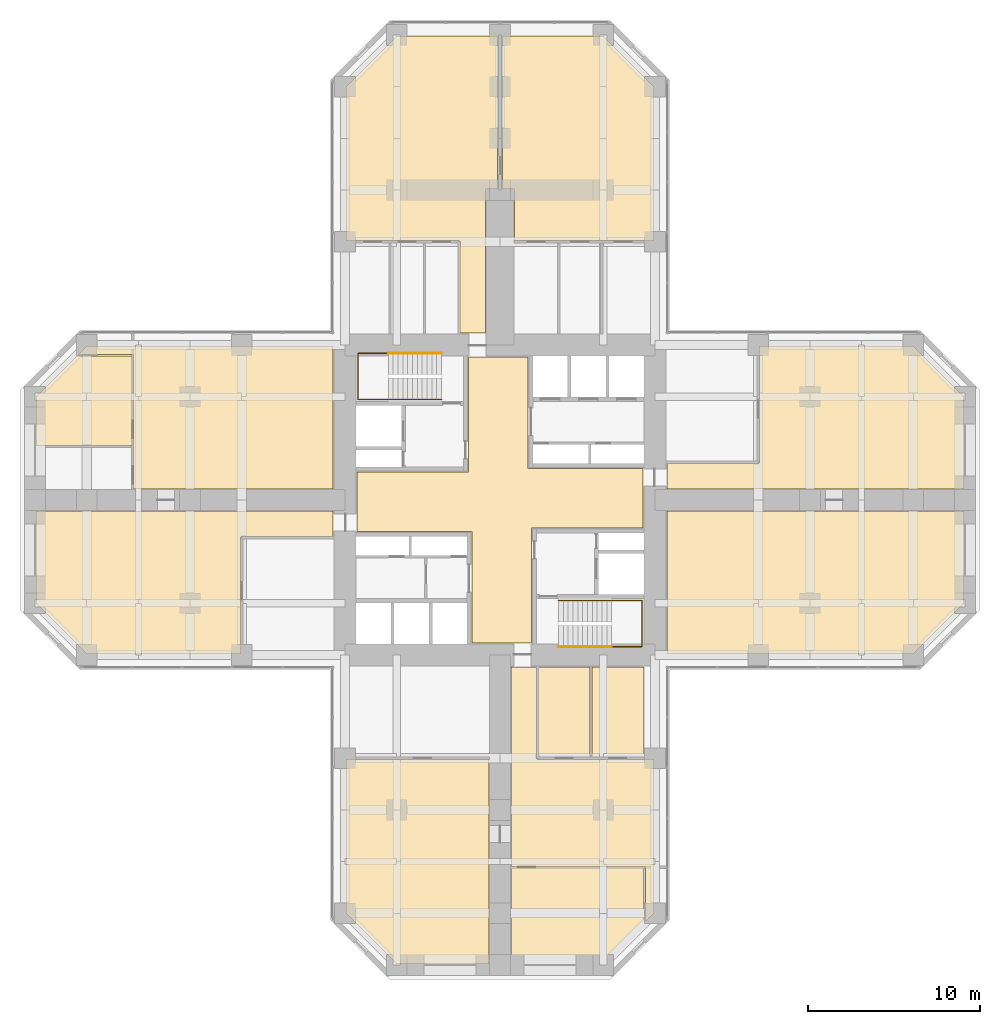
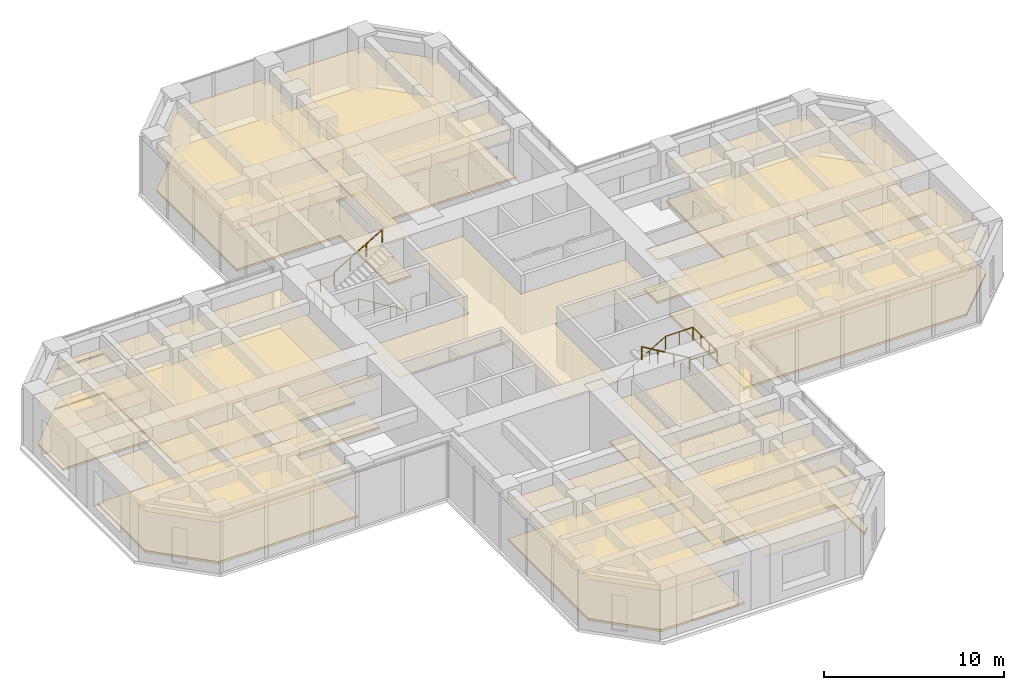
# One storey, part 12 of 12: 22 coverings, 4 railings.
"""IFC4 building model written with IfcOpenShell, lengths in metres."""

from ifc_helpers import new_model, si_unit, direction, frame, origin, origin_2d, place, context, subcontext, project, spatial, polyline, circle, outline, extrude, material, layer, layer_set, constituent, constituent_set, type_object, element, save


model = new_model("IFC4")

# Units and contexts
model_context = context("Model", 3, precision=1e-05, world=origin(), true_north=direction((0.0, 1.0)))
body_context = subcontext(model_context, "Body", "Model", "MODEL_VIEW")
ifc_project = project(units=[si_unit("LENGTHUNIT", "METRE"), si_unit("AREAUNIT", "SQUARE_METRE"), si_unit("VOLUMEUNIT", "CUBIC_METRE"), si_unit("PLANEANGLEUNIT", "RADIAN"), si_unit("MASSUNIT", "GRAM", prefix="KILO")], contexts=[model_context])

# Site, building, storey
site_placement = place(None, origin())
site = spatial("IfcSite", under=ifc_project, at=site_placement, CompositionType="ELEMENT")
building_placement = place(site_placement, origin())
building = spatial("IfcBuilding", under=site, at=building_placement, Name="Torre Cruceta", CompositionType="ELEMENT")
storey_placement = place(building_placement, frame((0.0, 0.0, 71.5)))
storey = spatial("IfcBuildingStorey", under=building, at=storey_placement, Name="L17", CompositionType="ELEMENT", Elevation=71.5)

# Railings
ifc_material_1 = material(Name="Stainless steel 1.4401", Category="steel")
railing_type = type_object("IfcRailingType", Name="HANDRAIL 900", PredefinedType="HANDRAIL", material=ifc_material_1)
railing_1_placement = place(storey_placement, frame((-3.39990234375, 5.8349609375, 0.166748046875)))
element("IfcRailing", 1, at=railing_1_placement, inside=storey, type_object=railing_type, Name="Handrail HR1 ST1 L17", PredefinedType="HANDRAIL", context=body_context, shape_type="SweptSolid", body=[
    extrude(circle(Radius=0.02392578125, at=origin_2d()), frame((0.0, 0.0, 0.8759765625), z_axis=(-0.859308565015, 0.0, 0.511457515432), x_axis=(0.0, -1.0, 0.0)), (0.0, 0.0, 1.0), 3.58447265625),
    extrude(circle(Radius=0.02392578125, at=origin_2d()), frame((-3.080078125, 0.0, 2.708984375), z_axis=(-1.0, 0.0, 0.0), x_axis=(0.0, -1.0, 0.0)), (0.0, 0.0, 1.0), 1.760009765625),
    extrude(circle(Radius=0.02392578125, at=origin_2d()), frame((-4.840087890625, 0.0, 2.708984375), z_axis=(0.0, 1.0, 0.0), x_axis=(-1.0, 0.0, 0.0)), (0.0, 0.0, 1.0), 2.679931640625),
    extrude(circle(Radius=0.02392578125, at=origin_2d()), frame((-4.840087890625, 2.679931640625, 2.708984375), z_axis=(1.0, 0.0, 0.0), x_axis=(0.0, 1.0, 0.0)), (0.0, 0.0, 1.0), 1.760009765625),
    extrude(circle(Radius=0.02099609375, at=origin_2d()), origin(), (0.0, 0.0, 1.0), 0.851806640625),
    extrude(circle(Radius=0.02099609375, at=origin_2d()), frame((-1.026611328125, 0.0, 0.611083984375)), (0.0, 0.0, 1.0), 0.851806640625),
    extrude(circle(Radius=0.02099609375, at=origin_2d()), frame((-2.053466796875, 0.0, 1.22216796875)), (0.0, 0.0, 1.0), 0.851806640625),
    extrude(circle(Radius=0.02099609375, at=origin_2d()), frame((-3.080078125, 0.0, 1.833251953125)), (0.0, 0.0, 1.0), 0.851806640625),
    extrude(circle(Radius=0.02099609375, at=origin_2d()), frame((-3.9599609375, 0.0, 1.833251953125)), (0.0, 0.0, 1.0), 0.851806640625),
    extrude(circle(Radius=0.02099609375, at=origin_2d()), frame((-4.840087890625, 0.0, 1.833251953125)), (0.0, 0.0, 1.0), 0.851806640625),
    extrude(circle(Radius=0.02099609375, at=origin_2d()), frame((-4.840087890625, 0.893310546875, 1.833251953125)), (0.0, 0.0, 1.0), 0.851806640625),
    extrude(circle(Radius=0.02099609375, at=origin_2d()), frame((-4.840087890625, 1.78662109375, 1.833251953125)), (0.0, 0.0, 1.0), 0.851806640625),
    extrude(circle(Radius=0.02099609375, at=origin_2d()), frame((-4.840087890625, 2.679931640625, 1.833251953125)), (0.0, 0.0, 1.0), 0.851806640625),
    extrude(circle(Radius=0.02099609375, at=origin_2d()), frame((-3.9599609375, 2.679931640625, 1.833251953125)), (0.0, 0.0, 1.0), 0.851806640625),
    extrude(circle(Radius=0.02099609375, at=origin_2d()), frame((-3.080078125, 2.679931640625, 1.833251953125)), (0.0, 0.0, 1.0), 0.851806640625),
])
railing_2_placement = place(storey_placement, frame((-6.47998046875, 8.514892578125, 2.166748046875)))
element("IfcRailing", 2, at=railing_2_placement, inside=storey, type_object=railing_type, Name="Handrail HR1 ST1 L17", PredefinedType="HANDRAIL", context=body_context, shape_type="SweptSolid", body=[
    extrude(circle(Radius=0.02392578125, at=origin_2d()), frame((0.0, 0.0, 0.8759765625), z_axis=(0.859308565015, 0.0, 0.511457515432), x_axis=(0.0, 1.0, 0.0)), (0.0, 0.0, 1.0), 3.58447265625),
    extrude(circle(Radius=0.02099609375, at=origin_2d()), origin(), (0.0, 0.0, 1.0), 0.851806640625),
    extrude(circle(Radius=0.02099609375, at=origin_2d()), frame((1.026611328125, 0.0, 0.611083984375)), (0.0, 0.0, 1.0), 0.851806640625),
    extrude(circle(Radius=0.02099609375, at=origin_2d()), frame((2.053466796875, 0.0, 1.22216796875)), (0.0, 0.0, 1.0), 0.851806640625),
    extrude(circle(Radius=0.02099609375, at=origin_2d()), frame((3.080078125, 0.0, 1.833251953125)), (0.0, 0.0, 1.0), 0.851806640625),
])
railing_3_placement = place(storey_placement, frame((3.39990234375, -5.8349609375, 0.166748046875)))
element("IfcRailing", 3, at=railing_3_placement, inside=storey, type_object=railing_type, Name="Handrail HR1 ST2 L17", PredefinedType="HANDRAIL", context=body_context, shape_type="SweptSolid", body=[
    extrude(circle(Radius=0.02392578125, at=origin_2d()), frame((0.0, 0.0, 0.8759765625), z_axis=(0.859308565015, 0.0, 0.511457515432), x_axis=(0.0, 1.0, 0.0)), (0.0, 0.0, 1.0), 3.58447265625),
    extrude(circle(Radius=0.02392578125, at=origin_2d()), frame((3.080078125, 0.0, 2.708984375), z_axis=(1.0, 0.0, 0.0), x_axis=(0.0, 1.0, 0.0)), (0.0, 0.0, 1.0), 1.760009765625),
    extrude(circle(Radius=0.02392578125, at=origin_2d()), frame((4.840087890625, 0.0, 2.708984375), z_axis=(0.0, -1.0, 0.0), x_axis=(1.0, 0.0, 0.0)), (0.0, 0.0, 1.0), 2.679931640625),
    extrude(circle(Radius=0.02392578125, at=origin_2d()), frame((4.840087890625, -2.679931640625, 2.708984375), z_axis=(-1.0, 0.0, 0.0), x_axis=(0.0, -1.0, 0.0)), (0.0, 0.0, 1.0), 1.760009765625),
    extrude(circle(Radius=0.02099609375, at=origin_2d()), origin(), (0.0, 0.0, 1.0), 0.851806640625),
    extrude(circle(Radius=0.02099609375, at=origin_2d()), frame((1.026611328125, 0.0, 0.611083984375)), (0.0, 0.0, 1.0), 0.851806640625),
    extrude(circle(Radius=0.02099609375, at=origin_2d()), frame((2.053466796875, 0.0, 1.22216796875)), (0.0, 0.0, 1.0), 0.851806640625),
    extrude(circle(Radius=0.02099609375, at=origin_2d()), frame((3.080078125, 0.0, 1.833251953125)), (0.0, 0.0, 1.0), 0.851806640625),
    extrude(circle(Radius=0.02099609375, at=origin_2d()), frame((3.9599609375, 0.0, 1.833251953125)), (0.0, 0.0, 1.0), 0.851806640625),
    extrude(circle(Radius=0.02099609375, at=origin_2d()), frame((4.840087890625, 0.0, 1.833251953125)), (0.0, 0.0, 1.0), 0.851806640625),
    extrude(circle(Radius=0.02099609375, at=origin_2d()), frame((4.840087890625, -0.893310546875, 1.833251953125)), (0.0, 0.0, 1.0), 0.851806640625),
    extrude(circle(Radius=0.02099609375, at=origin_2d()), frame((4.840087890625, -1.78662109375, 1.833251953125)), (0.0, 0.0, 1.0), 0.851806640625),
    extrude(circle(Radius=0.02099609375, at=origin_2d()), frame((4.840087890625, -2.679931640625, 1.833251953125)), (0.0, 0.0, 1.0), 0.851806640625),
    extrude(circle(Radius=0.02099609375, at=origin_2d()), frame((3.9599609375, -2.679931640625, 1.833251953125)), (0.0, 0.0, 1.0), 0.851806640625),
    extrude(circle(Radius=0.02099609375, at=origin_2d()), frame((3.080078125, -2.679931640625, 1.833251953125)), (0.0, 0.0, 1.0), 0.851806640625),
])
railing_4_placement = place(storey_placement, frame((6.47998046875, -8.514892578125, 2.166748046875)))
element("IfcRailing", 4, at=railing_4_placement, inside=storey, type_object=railing_type, Name="Handrail HR1 ST2 L17", PredefinedType="HANDRAIL", context=body_context, shape_type="SweptSolid", body=[
    extrude(circle(Radius=0.02392578125, at=origin_2d()), frame((0.0, 0.0, 0.8759765625), z_axis=(-0.859308565015, 0.0, 0.511457515432), x_axis=(0.0, -1.0, 0.0)), (0.0, 0.0, 1.0), 3.58447265625),
    extrude(circle(Radius=0.02099609375, at=origin_2d()), origin(), (0.0, 0.0, 1.0), 0.851806640625),
    extrude(circle(Radius=0.02099609375, at=origin_2d()), frame((-1.026611328125, 0.0, 0.611083984375)), (0.0, 0.0, 1.0), 0.851806640625),
    extrude(circle(Radius=0.02099609375, at=origin_2d()), frame((-2.053466796875, 0.0, 1.22216796875)), (0.0, 0.0, 1.0), 0.851806640625),
    extrude(circle(Radius=0.02099609375, at=origin_2d()), frame((-3.080078125, 0.0, 1.833251953125)), (0.0, 0.0, 1.0), 0.851806640625),
])

# Coverings
ifc_material_2 = material(Name="Steel DX51D", Category="steel")
ifc_constituent_1 = constituent(ifc_material_2, Name="Panel casing")
ifc_material_3 = material(Name="Calcium sulphate", Category="gypsum")
ifc_constituent_2 = constituent(ifc_material_3, Name="Panel core")
ifc_constituent_set = constituent_set(constituents=[ifc_constituent_1, ifc_constituent_2], Name="Raised access floor panel")
covering_type_1 = type_object("IfcCoveringType", Name="RAISED ACCESS FLOOR 150", PredefinedType="FLOORING", material=ifc_constituent_set)
covering_1_placement = place(storey_placement, origin())
element("IfcCovering", 5, at=covering_1_placement, inside=storey, type_object=covering_type_1, Name="Raised floor L17-029", PredefinedType="FLOORING", context=body_context, shape_type="SweptSolid", body=[
    extrude(outline(polyline([(-0.14990234375, 26.949951171875), (-0.14990234375, 18.050048828125), (-0.85009765625, 18.050048828125), (-0.85009765625, 9.699951171875), (-2.324951171875, 9.699951171875), (-2.324951171875, 15.050048828125), (-8.949951171875, 15.050048828125), (-8.949951171875, 23.979248046875), (-5.979248046875, 26.949951171875), (-0.14990234375, 26.949951171875)])), origin(), (0.0, 0.0, 1.0), 0.14990234375),
])
covering_2_placement = place(storey_placement, origin())
element("IfcCovering", 6, at=covering_2_placement, inside=storey, type_object=covering_type_1, Name="Raised floor L17-030", PredefinedType="FLOORING", context=body_context, shape_type="SweptSolid", body=[
    extrude(outline(polyline([(5.979248046875, 26.949951171875), (8.949951171875, 23.979248046875), (8.949951171875, 15.050048828125), (0.85009765625, 15.050048828125), (0.85009765625, 18.050048828125), (0.14990234375, 18.050048828125), (0.14990234375, 26.949951171875), (5.979248046875, 26.949951171875)])), origin(), (0.0, 0.0, 1.0), 0.14990234375),
])
covering_3_placement = place(storey_placement, origin())
element("IfcCovering", 7, at=covering_3_placement, inside=storey, type_object=covering_type_1, Name="Raised floor L17-032", PredefinedType="FLOORING", context=body_context, shape_type="SweptSolid", body=[
    extrude(outline(polyline([(26.949951171875, 5.979248046875), (26.949951171875, 0.64990234375), (9.699951171875, 0.64990234375), (9.699951171875, 2.125), (15.050048828125, 2.125), (15.050048828125, 8.949951171875), (23.979248046875, 8.949951171875), (26.949951171875, 5.979248046875)])), origin(), (0.0, 0.0, 1.0), 0.14990234375),
])
covering_4_placement = place(storey_placement, origin())
element("IfcCovering", 8, at=covering_4_placement, inside=storey, type_object=covering_type_1, Name="Raised floor L17-033", PredefinedType="FLOORING", context=body_context, shape_type="SweptSolid", body=[
    extrude(outline(polyline([(26.949951171875, -5.979248046875), (23.979248046875, -8.949951171875), (9.699951171875, -8.949951171875), (9.699951171875, -0.64990234375), (26.949951171875, -0.64990234375), (26.949951171875, -5.979248046875)])), origin(), (0.0, 0.0, 1.0), 0.14990234375),
])
covering_5_placement = place(storey_placement, origin())
element("IfcCovering", 9, at=covering_5_placement, inside=storey, type_object=covering_type_1, Name="Raised floor L17-038", PredefinedType="FLOORING", context=body_context, shape_type="SweptSolid", body=[
    extrude(outline(polyline([(2.125, -9.699951171875), (2.125, -15.050048828125), (8.949951171875, -15.050048828125), (8.949951171875, -23.979248046875), (8.449951171875, -24.479248046875), (8.449951171875, -21.27001953125), (0.64990234375, -21.27001953125), (0.64990234375, -9.699951171875), (2.125, -9.699951171875)])), origin(), (0.0, 0.0, 1.0), 0.14990234375),
])
covering_6_placement = place(storey_placement, origin())
element("IfcCovering", 10, at=covering_6_placement, inside=storey, type_object=covering_type_1, Name="Raised floor L17-039", PredefinedType="FLOORING", context=body_context, shape_type="SweptSolid", body=[
    extrude(outline(polyline([(-8.949951171875, -23.979248046875), (-8.949951171875, -15.050048828125), (-0.64990234375, -15.050048828125), (-0.64990234375, -26.949951171875), (-5.979248046875, -26.949951171875), (-8.949951171875, -23.979248046875)])), origin(), (0.0, 0.0, 1.0), 0.14990234375),
])
covering_7_placement = place(storey_placement, origin())
element("IfcCovering", 11, at=covering_7_placement, inside=storey, type_object=covering_type_1, Name="Raised floor L17-042", PredefinedType="FLOORING", context=body_context, shape_type="SweptSolid", body=[
    extrude(outline(polyline([(-24.579345703125, 8.35009765625), (-21.3701171875, 8.35009765625), (-21.3701171875, 3.16796875), (-26.949951171875, 3.16796875), (-26.949951171875, 5.979248046875), (-24.579345703125, 8.35009765625)])), origin(), (0.0, 0.0, 1.0), 0.14990234375),
])
covering_8_placement = place(storey_placement, origin())
element("IfcCovering", 12, at=covering_8_placement, inside=storey, type_object=covering_type_1, Name="Raised floor L17-043", PredefinedType="FLOORING", context=body_context, shape_type="SweptSolid", body=[
    extrude(outline(polyline([(-26.949951171875, -0.64990234375), (-9.699951171875, -0.64990234375), (-9.699951171875, -2.125), (-15.050048828125, -2.125), (-15.050048828125, -8.949951171875), (-23.979248046875, -8.949951171875), (-26.949951171875, -5.979248046875), (-26.949951171875, -0.64990234375)])), origin(), (0.0, 0.0, 1.0), 0.14990234375),
])
covering_9_placement = place(storey_placement, origin())
element("IfcCovering", 13, at=covering_9_placement, inside=storey, type_object=covering_type_1, Name="Raised floor L17-044", PredefinedType="FLOORING", context=body_context, shape_type="SweptSolid", body=[
    extrude(outline(polyline([(-21.27001953125, 8.449951171875), (-24.479248046875, 8.449951171875), (-23.979248046875, 8.949951171875), (-9.699951171875, 8.949951171875), (-9.699951171875, 0.64990234375), (-21.27001953125, 0.64990234375), (-21.27001953125, 8.449951171875)])), origin(), (0.0, 0.0, 1.0), 0.14990234375),
])
ifc_material_4 = material(Name="Mineral fibre ceiling tile", Category="gypsum")
ifc_layer = layer(ifc_material_4, 0.02001953125)
ifc_layer_set = layer_set([ifc_layer], Name="Mineral fibre ceiling tile")
covering_type_2 = type_object("IfcCoveringType", Name="SUSPENDED CEILING 20", PredefinedType="CEILING", material=ifc_layer_set)
covering_10_placement = place(storey_placement, frame((0.0, 0.0, 2.780029296875)))
element("IfcCovering", 14, at=covering_10_placement, inside=storey, type_object=covering_type_2, Name="Ceiling L17-001", PredefinedType="CEILING", context=body_context, shape_type="SweptSolid", body=[
    extrude(outline(polyline([(-1.625, -8.300048828125), (-1.625, -1.824951171875), (-8.300048828125, -1.824951171875), (-8.300048828125, 1.625), (-1.824951171875, 1.625), (-1.824951171875, 8.300048828125), (1.625, 8.300048828125), (1.625, 1.824951171875), (8.300048828125, 1.824951171875), (8.300048828125, -1.625), (1.824951171875, -1.625), (1.824951171875, -8.300048828125), (-1.625, -8.300048828125)])), origin(), (0.0, 0.0, 1.0), 0.02001953125),
])
covering_11_placement = place(storey_placement, frame((0.0, 0.0, 2.780029296875)))
element("IfcCovering", 15, at=covering_11_placement, inside=storey, type_object=covering_type_2, Name="Ceiling L17-029", PredefinedType="CEILING", context=body_context, shape_type="SweptSolid", body=[
    extrude(outline(polyline([(-0.14990234375, 26.949951171875), (-0.14990234375, 18.050048828125), (-0.85009765625, 18.050048828125), (-0.85009765625, 9.699951171875), (-2.324951171875, 9.699951171875), (-2.324951171875, 15.050048828125), (-8.949951171875, 15.050048828125), (-8.949951171875, 23.979248046875), (-5.979248046875, 26.949951171875), (-0.14990234375, 26.949951171875)])), origin(), (0.0, 0.0, 1.0), 0.02001953125),
])
covering_12_placement = place(storey_placement, frame((0.0, 0.0, 2.780029296875)))
element("IfcCovering", 16, at=covering_12_placement, inside=storey, type_object=covering_type_2, Name="Ceiling L17-030", PredefinedType="CEILING", context=body_context, shape_type="SweptSolid", body=[
    extrude(outline(polyline([(5.979248046875, 26.949951171875), (8.949951171875, 23.979248046875), (8.949951171875, 15.050048828125), (0.85009765625, 15.050048828125), (0.85009765625, 18.050048828125), (0.14990234375, 18.050048828125), (0.14990234375, 26.949951171875), (5.979248046875, 26.949951171875)])), origin(), (0.0, 0.0, 1.0), 0.02001953125),
])
covering_13_placement = place(storey_placement, frame((0.0, 0.0, 2.780029296875)))
element("IfcCovering", 17, at=covering_13_placement, inside=storey, type_object=covering_type_2, Name="Ceiling L17-032", PredefinedType="CEILING", context=body_context, shape_type="SweptSolid", body=[
    extrude(outline(polyline([(26.949951171875, 5.979248046875), (26.949951171875, 0.64990234375), (9.699951171875, 0.64990234375), (9.699951171875, 2.125), (15.050048828125, 2.125), (15.050048828125, 8.949951171875), (23.979248046875, 8.949951171875), (26.949951171875, 5.979248046875)])), origin(), (0.0, 0.0, 1.0), 0.02001953125),
])
covering_14_placement = place(storey_placement, frame((0.0, 0.0, 2.780029296875)))
element("IfcCovering", 18, at=covering_14_placement, inside=storey, type_object=covering_type_2, Name="Ceiling L17-033", PredefinedType="CEILING", context=body_context, shape_type="SweptSolid", body=[
    extrude(outline(polyline([(26.949951171875, -5.979248046875), (23.979248046875, -8.949951171875), (9.699951171875, -8.949951171875), (9.699951171875, -0.64990234375), (26.949951171875, -0.64990234375), (26.949951171875, -5.979248046875)])), origin(), (0.0, 0.0, 1.0), 0.02001953125),
])
covering_15_placement = place(storey_placement, frame((0.0, 0.0, 2.780029296875)))
element("IfcCovering", 19, at=covering_15_placement, inside=storey, type_object=covering_type_2, Name="Ceiling L17-034", PredefinedType="CEILING", context=body_context, shape_type="SweptSolid", body=[
    extrude(outline(polyline([(2.22509765625, -9.699951171875), (5.237548828125, -9.699951171875), (5.237548828125, -14.949951171875), (2.22509765625, -14.949951171875), (2.22509765625, -9.699951171875)])), origin(), (0.0, 0.0, 1.0), 0.02001953125),
])
covering_16_placement = place(storey_placement, frame((0.0, 0.0, 2.780029296875)))
element("IfcCovering", 20, at=covering_16_placement, inside=storey, type_object=covering_type_2, Name="Ceiling L17-035", PredefinedType="CEILING", context=body_context, shape_type="SweptSolid", body=[
    extrude(outline(polyline([(5.33740234375, -9.699951171875), (8.35009765625, -9.699951171875), (8.35009765625, -14.949951171875), (5.33740234375, -14.949951171875), (5.33740234375, -9.699951171875)])), origin(), (0.0, 0.0, 1.0), 0.02001953125),
])
covering_17_placement = place(storey_placement, frame((0.0, 0.0, 2.780029296875)))
element("IfcCovering", 21, at=covering_17_placement, inside=storey, type_object=covering_type_2, Name="Ceiling L17-037", PredefinedType="CEILING", context=body_context, shape_type="SweptSolid", body=[
    extrude(outline(polyline([(0.64990234375, -26.949951171875), (0.64990234375, -21.3701171875), (8.35009765625, -21.3701171875), (8.35009765625, -24.579345703125), (5.979248046875, -26.949951171875), (0.64990234375, -26.949951171875)])), origin(), (0.0, 0.0, 1.0), 0.02001953125),
])
covering_18_placement = place(storey_placement, frame((0.0, 0.0, 2.780029296875)))
element("IfcCovering", 22, at=covering_18_placement, inside=storey, type_object=covering_type_2, Name="Ceiling L17-038", PredefinedType="CEILING", context=body_context, shape_type="SweptSolid", body=[
    extrude(outline(polyline([(2.125, -9.699951171875), (2.125, -15.050048828125), (8.949951171875, -15.050048828125), (8.949951171875, -23.979248046875), (8.449951171875, -24.479248046875), (8.449951171875, -21.27001953125), (0.64990234375, -21.27001953125), (0.64990234375, -9.699951171875), (2.125, -9.699951171875)])), origin(), (0.0, 0.0, 1.0), 0.02001953125),
])
covering_19_placement = place(storey_placement, frame((0.0, 0.0, 2.780029296875)))
element("IfcCovering", 23, at=covering_19_placement, inside=storey, type_object=covering_type_2, Name="Ceiling L17-039", PredefinedType="CEILING", context=body_context, shape_type="SweptSolid", body=[
    extrude(outline(polyline([(-8.949951171875, -23.979248046875), (-8.949951171875, -15.050048828125), (-0.64990234375, -15.050048828125), (-0.64990234375, -26.949951171875), (-5.979248046875, -26.949951171875), (-8.949951171875, -23.979248046875)])), origin(), (0.0, 0.0, 1.0), 0.02001953125),
])
covering_20_placement = place(storey_placement, frame((0.0, 0.0, 2.780029296875)))
element("IfcCovering", 24, at=covering_20_placement, inside=storey, type_object=covering_type_2, Name="Ceiling L17-042", PredefinedType="CEILING", context=body_context, shape_type="SweptSolid", body=[
    extrude(outline(polyline([(-24.579345703125, 8.35009765625), (-21.3701171875, 8.35009765625), (-21.3701171875, 3.16796875), (-26.949951171875, 3.16796875), (-26.949951171875, 5.979248046875), (-24.579345703125, 8.35009765625)])), origin(), (0.0, 0.0, 1.0), 0.02001953125),
])
covering_21_placement = place(storey_placement, frame((0.0, 0.0, 2.780029296875)))
element("IfcCovering", 25, at=covering_21_placement, inside=storey, type_object=covering_type_2, Name="Ceiling L17-043", PredefinedType="CEILING", context=body_context, shape_type="SweptSolid", body=[
    extrude(outline(polyline([(-26.949951171875, -0.64990234375), (-9.699951171875, -0.64990234375), (-9.699951171875, -2.125), (-15.050048828125, -2.125), (-15.050048828125, -8.949951171875), (-23.979248046875, -8.949951171875), (-26.949951171875, -5.979248046875), (-26.949951171875, -0.64990234375)])), origin(), (0.0, 0.0, 1.0), 0.02001953125),
])
covering_22_placement = place(storey_placement, frame((0.0, 0.0, 2.780029296875)))
element("IfcCovering", 26, at=covering_22_placement, inside=storey, type_object=covering_type_2, Name="Ceiling L17-044", PredefinedType="CEILING", context=body_context, shape_type="SweptSolid", body=[
    extrude(outline(polyline([(-21.27001953125, 8.449951171875), (-24.479248046875, 8.449951171875), (-23.979248046875, 8.949951171875), (-9.699951171875, 8.949951171875), (-9.699951171875, 0.64990234375), (-21.27001953125, 0.64990234375), (-21.27001953125, 8.449951171875)])), origin(), (0.0, 0.0, 1.0), 0.02001953125),
])

save(model, "model.ifc")
